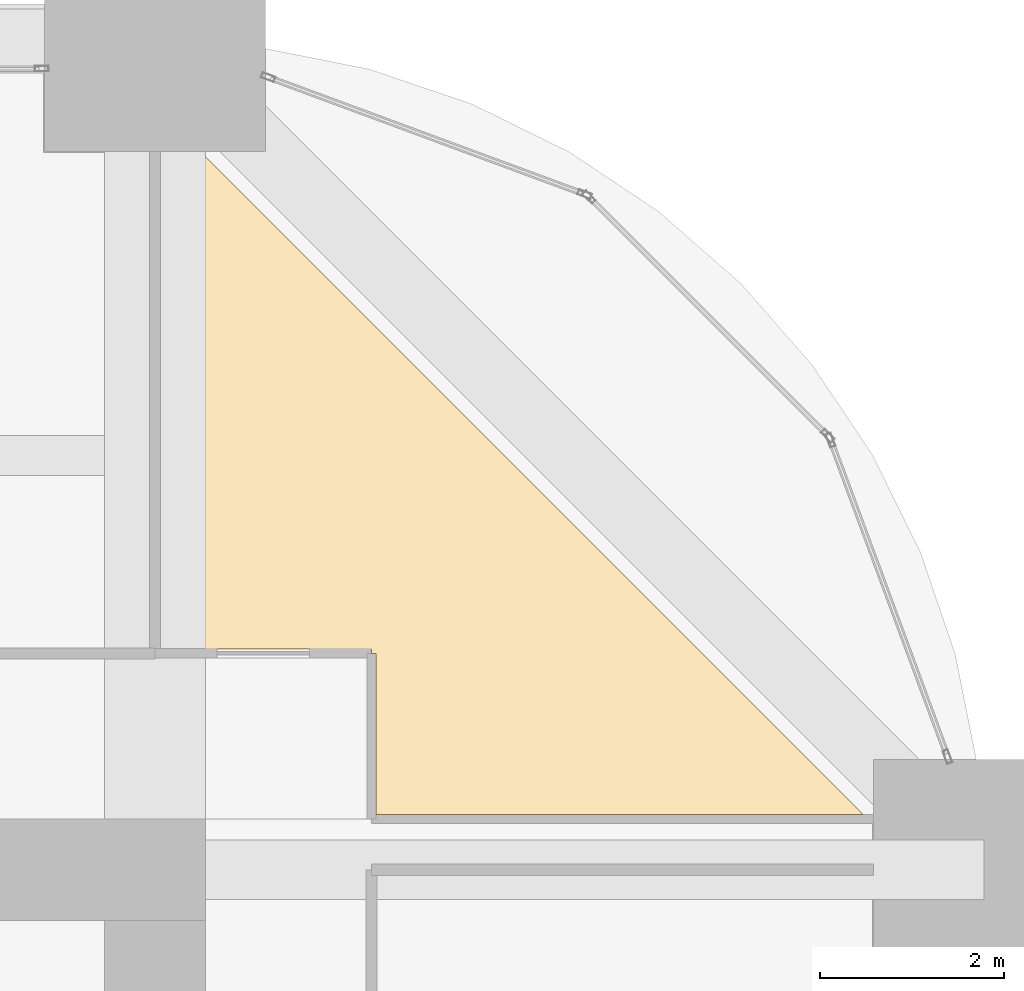
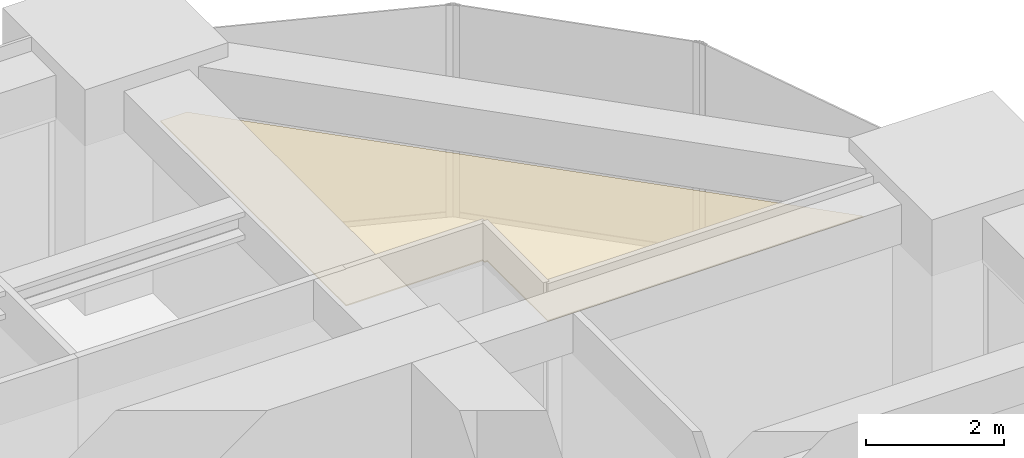
# One storey, part 33 of 33: 1 covering.
"""IFC4 building model written with IfcOpenShell, lengths in metres."""

from ifc_helpers import new_model, si_unit, direction, frame, origin, place, context, subcontext, project, spatial, polyline, outline, extrude, material, layer, layer_set, type_object, element, save


model = new_model("IFC4")

# Units and contexts
model_context = context("Model", 3, precision=1e-05, world=origin(), true_north=direction((0.0, 1.0)))
body_context = subcontext(model_context, "Body", "Model", "MODEL_VIEW")
ifc_project = project(units=[si_unit("LENGTHUNIT", "METRE"), si_unit("AREAUNIT", "SQUARE_METRE"), si_unit("VOLUMEUNIT", "CUBIC_METRE"), si_unit("PLANEANGLEUNIT", "RADIAN"), si_unit("MASSUNIT", "GRAM", prefix="KILO")], contexts=[model_context])

# Site, building, storey
site_placement = place(None, origin())
site = spatial("IfcSite", under=ifc_project, at=site_placement, CompositionType="ELEMENT")
building_placement = place(site_placement, origin())
building = spatial("IfcBuilding", under=site, at=building_placement, Name="Zorevar Civic Tower", CompositionType="ELEMENT")
storey_placement = place(building_placement, frame((0.0, 0.0, 194.199951171875)))
storey = spatial("IfcBuildingStorey", under=building, at=storey_placement, Name="L47", CompositionType="ELEMENT", Elevation=194.199951171875)

# Covering
ifc_material = material(Name="Mineral fibre tiles on a concealed grid")
ifc_layer = layer(ifc_material, 0.02001953125)
ifc_layer_set = layer_set([ifc_layer], Name="Suspended ceiling SC1")
covering_type = type_object("IfcCoveringType", Name="Suspended ceiling SC1", PredefinedType="CEILING", material=ifc_layer_set)
covering_placement = place(storey_placement, frame((0.0, 0.0, 3.0)))
element("IfcCovering", 1, at=covering_placement, inside=storey, type_object=covering_type, Name="Ceiling L47-33", PredefinedType="CEILING", context=body_context, shape_type="SweptSolid", body=[
    extrude(outline(polyline([(47.39990234375, 36.60009765625), (47.39990234375, 38.35009765625), (47.35009765625, 38.35009765625), (47.35009765625, 38.39990234375), (45.06005859375, 38.39990234375), (45.06005859375, 43.7900390625), (45.5029296875, 43.7900390625), (52.69287109375, 36.60009765625), (47.39990234375, 36.60009765625)])), origin(), (0.0, 0.0, 1.0), 0.02001953125),
])

save(model, "model.ifc")
